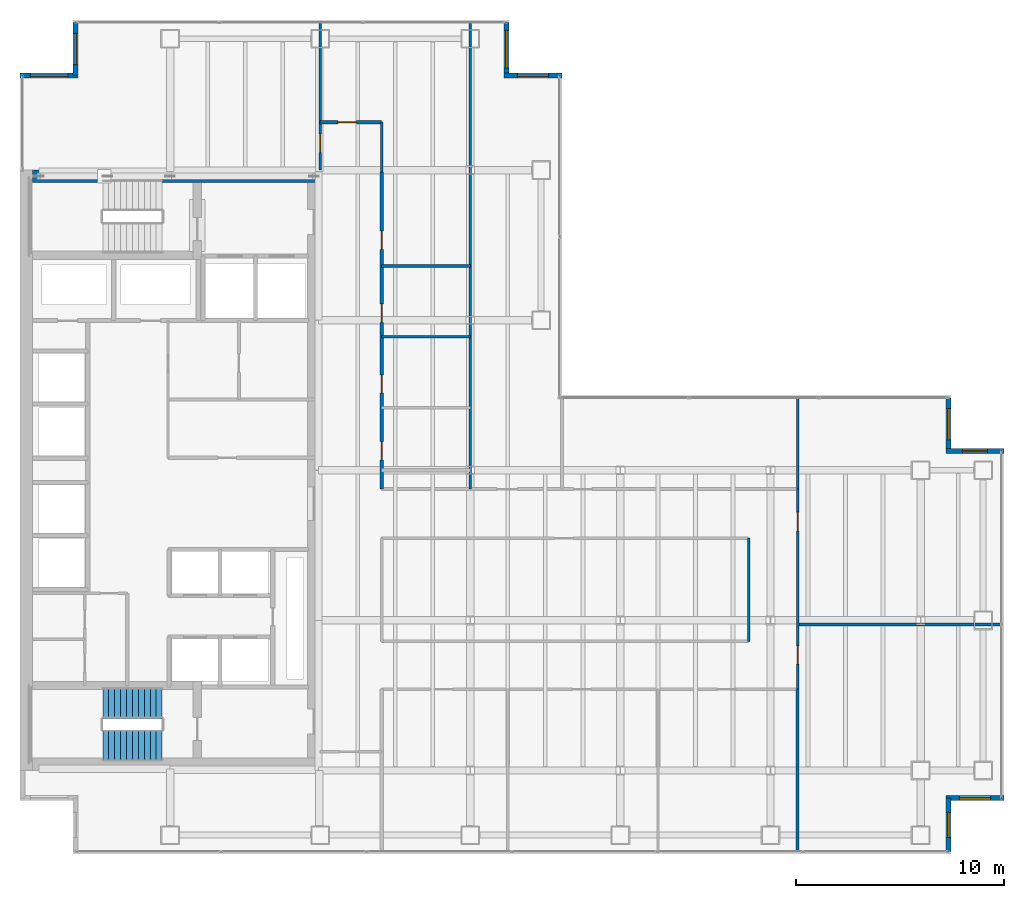
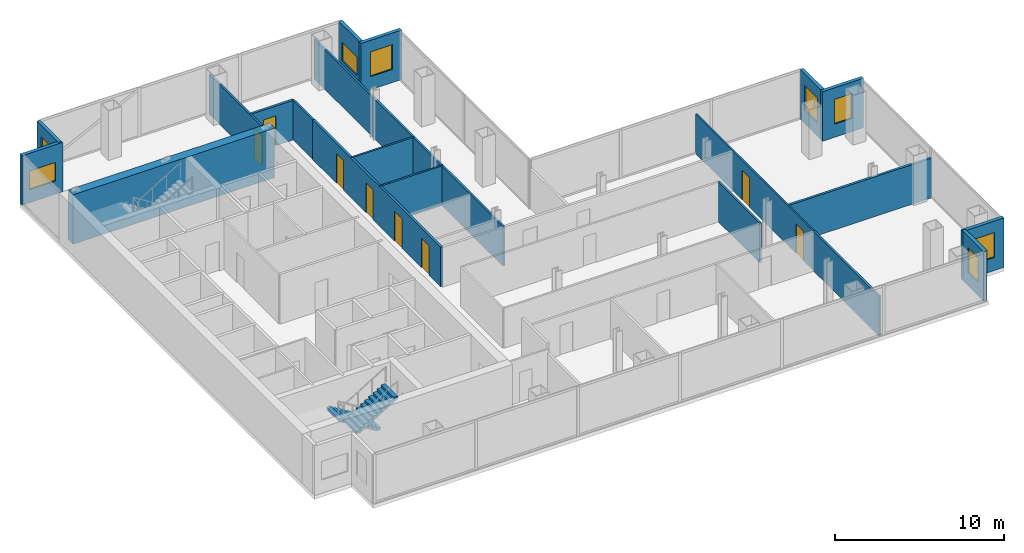
# One storey, part 22 of 24: 21 walls, 8 doors, 8 windows, 2 stair flights, 16 openings, 1 element without a shape of its own.
"""IFC4 building model written with IfcOpenShell, lengths in metres."""

from ifc_helpers import new_model, si_unit, direction, frame, frame_2d, origin, place, context, subcontext, project, spatial, polyline, rectangle, outline, extrude, material, layer, layer_set, type_object, element, fill, aggregate, save


model = new_model("IFC4")

# Units and contexts
model_context = context("Model", 3, precision=1e-05, world=origin(), true_north=direction((0.0, 1.0)))
body_context = subcontext(model_context, "Body", "Model", "MODEL_VIEW")
ifc_project = project(units=[si_unit("LENGTHUNIT", "METRE"), si_unit("AREAUNIT", "SQUARE_METRE"), si_unit("VOLUMEUNIT", "CUBIC_METRE"), si_unit("PLANEANGLEUNIT", "RADIAN"), si_unit("MASSUNIT", "GRAM", prefix="KILO")], contexts=[model_context])

# Site, building, storey
site_placement = place(None, origin())
site = spatial("IfcSite", under=ifc_project, at=site_placement, CompositionType="ELEMENT")
building_placement = place(site_placement, origin())
building = spatial("IfcBuilding", under=site, at=building_placement, Name="Cobrela Telecom Tower", CompositionType="ELEMENT")
storey_placement = place(building_placement, frame((0.0, 0.0, 136.85009765625)))
storey = spatial("IfcBuildingStorey", under=building, at=storey_placement, Name="L34", CompositionType="ELEMENT", Elevation=136.85009765625)

# Wall
ifc_material_1 = material(Name="Concrete C50/60", Category="concrete")
ifc_layer_1 = layer(ifc_material_1, 0.60009765625)
ifc_layer_set_1 = layer_set([ifc_layer_1], Name="Concrete C50/60")
wall_type_1 = type_object("IfcWallType", Name="WALL-CORE-C50-600", PredefinedType="SHEAR", material=ifc_layer_set_1)
wall_1_placement = place(storey_placement, frame((0.60009765625, 35.699951171875, 0.0), z_axis=(0.0, 0.0, 1.0), x_axis=(1.0, 0.0, 0.0)))
element("IfcWall", 1, at=wall_1_placement, inside=storey, type_object=wall_type_1, Name="L34 North Core Shear Wall", PredefinedType="SHEAR", context=body_context, shape_type="SweptSolid", body=[
    extrude(rectangle(XDim=13.7998046875, YDim=0.60009765625, at=frame_2d((6.89990234375, 0.0))), origin(), (0.0, 0.0, 1.0), 3.579833984375),
])

# Wall, opening, window
ifc_material_2 = material(Name="Concrete C40/50", Category="concrete")
ifc_layer_2 = layer(ifc_material_2, 0.239990234375)
ifc_layer_set_2 = layer_set([ifc_layer_2], Name="Concrete C40/50")
wall_type_2 = type_object("IfcWallType", Name="WALL-EXT-300", PredefinedType="STANDARD", material=ifc_layer_set_2)
wall_2_placement = place(storey_placement, frame((0.0, 40.530029296875, 0.0), z_axis=(0.0, 0.0, 1.0), x_axis=(1.0, 0.0, 0.0)))
wall_2 = element("IfcWall", 2, at=wall_2_placement, inside=storey, type_object=wall_type_2, Name="L34 Insulated Facade Wall 05", PredefinedType="STANDARD", context=body_context, shape_type="SweptSolid", body=[
    extrude(rectangle(XDim=2.7900390625, YDim=0.239990234375, at=frame_2d((1.39501953125, 0.0))), origin(), (0.0, 0.0, 1.0), 3.579833984375),
])
opening_1_placement = place(wall_2_placement, frame((0.4951171875, 0.0, 0.949951171875)))
opening_1 = element("IfcOpeningElement", 3, at=opening_1_placement, cuts=wall_2, Name="Opening WN-27", PredefinedType="OPENING", context=body_context, shape_type="SweptSolid", body=[
    extrude(rectangle(XDim=1.800048828125, YDim=1.35009765625, at=frame_2d((0.89990234375, 0.675048828125))), frame((0.0, 0.1318359375, 0.0), z_axis=(0.0, -1.0, 0.0), x_axis=(1.0, 0.0, 0.0)), (0.0, 0.0, 1.0), 0.263916015625),
])
ifc_material_3 = material(Name="Solar-Control Bronze Low-E Glass", Category="glass")
window_type_1 = type_object("IfcWindowType", Name="WIN-CLER-1800", PartitioningType="SINGLE_PANEL", PredefinedType="WINDOW", material=ifc_material_3)
window_1_placement = place(opening_1_placement, origin())
window_1 = element("IfcWindow", 4, at=window_1_placement, inside=storey, type_object=window_type_1, Name="L34 Corner Notch Facade Window 162", OverallHeight=1.35009765625, OverallWidth=1.800048828125, PartitioningType="SINGLE_PANEL", PredefinedType="WINDOW", context=body_context, shape_type="SweptSolid", body=[
    extrude(rectangle(XDim=1.800048828125, YDim=1.35009765625, at=frame_2d((0.89990234375, 0.675048828125))), frame((0.0, 0.030029296875, 0.0), z_axis=(0.0, -1.0, 0.0), x_axis=(1.0, 0.0, 0.0)), (0.0, 0.0, 1.0), 0.06005859375),
])
fill(opening_1, window_1)

wall_3_placement = place(storey_placement, frame((2.669921875, 40.530029296875, 0.0), z_axis=(0.0, 0.0, 1.0), x_axis=(0.0, 1.0, 0.0)))
wall_3 = element("IfcWall", 5, at=wall_3_placement, inside=storey, type_object=wall_type_2, Name="L34 Insulated Facade Wall 06", PredefinedType="STANDARD", context=body_context, shape_type="SweptSolid", body=[
    extrude(rectangle(XDim=2.550048828125, YDim=0.239990234375, at=frame_2d((1.27490234375, 0.0))), origin(), (0.0, 0.0, 1.0), 3.579833984375),
])
opening_2_placement = place(wall_3_placement, frame((0.52490234375, 0.0, 0.949951171875)))
opening_2 = element("IfcOpeningElement", 6, at=opening_2_placement, cuts=wall_3, Name="Opening WN-45", PredefinedType="OPENING", context=body_context, shape_type="SweptSolid", body=[
    extrude(rectangle(XDim=1.5, YDim=1.800048828125, at=frame_2d((0.75, 0.89990234375))), frame((0.0, 0.1318359375, 0.0), z_axis=(0.0, -1.0, 0.0), x_axis=(1.0, 0.0, 0.0)), (0.0, 0.0, 1.0), 0.263916015625),
])
window_type_2 = type_object("IfcWindowType", Name="WIN-MOD-1500", PartitioningType="SINGLE_PANEL", PredefinedType="WINDOW", material=ifc_material_3)
window_2_placement = place(opening_2_placement, origin())
window_2 = element("IfcWindow", 7, at=window_2_placement, inside=storey, type_object=window_type_2, Name="L34 Corner Notch Facade Window 163", OverallHeight=1.800048828125, OverallWidth=1.5, PartitioningType="SINGLE_PANEL", PredefinedType="WINDOW", context=body_context, shape_type="SweptSolid", body=[
    extrude(rectangle(XDim=1.5, YDim=1.800048828125, at=frame_2d((0.75, 0.89990234375))), frame((0.0, 0.030029296875, 0.0), z_axis=(0.0, -1.0, 0.0), x_axis=(1.0, 0.0, 0.0)), (0.0, 0.0, 1.0), 0.06005859375),
])
fill(opening_2, window_2)

wall_4_placement = place(storey_placement, frame((23.330078125, 43.080078125, 0.0), z_axis=(0.0, 0.0, 1.0), x_axis=(0.0, -1.0, 0.0)))
wall_4 = element("IfcWall", 8, at=wall_4_placement, inside=storey, type_object=wall_type_2, Name="L34 Insulated Facade Wall 08", PredefinedType="STANDARD", context=body_context, shape_type="SweptSolid", body=[
    extrude(rectangle(XDim=2.550048828125, YDim=0.239990234375, at=frame_2d((1.27490234375, 0.0))), origin(), (0.0, 0.0, 1.0), 3.579833984375),
])
opening_3_placement = place(wall_4_placement, frame((0.375, 0.0, 0.949951171875)))
opening_3 = element("IfcOpeningElement", 9, at=opening_3_placement, cuts=wall_4, Name="Opening WN-27", PredefinedType="OPENING", context=body_context, shape_type="SweptSolid", body=[
    extrude(rectangle(XDim=1.800048828125, YDim=1.35009765625, at=frame_2d((0.89990234375, 0.675048828125))), frame((0.0, 0.1318359375, 0.0), z_axis=(0.0, -1.0, 0.0), x_axis=(1.0, 0.0, 0.0)), (0.0, 0.0, 1.0), 0.263916015625),
])
window_3_placement = place(opening_3_placement, origin())
window_3 = element("IfcWindow", 10, at=window_3_placement, inside=storey, type_object=window_type_1, Name="L34 Corner Notch Facade Window 164", OverallHeight=1.35009765625, OverallWidth=1.800048828125, PartitioningType="SINGLE_PANEL", PredefinedType="WINDOW", context=body_context, shape_type="SweptSolid", body=[
    extrude(rectangle(XDim=1.800048828125, YDim=1.35009765625, at=frame_2d((0.89990234375, 0.675048828125))), frame((0.0, 0.030029296875, 0.0), z_axis=(0.0, -1.0, 0.0), x_axis=(1.0, 0.0, 0.0)), (0.0, 0.0, 1.0), 0.06005859375),
])
fill(opening_3, window_3)

wall_5_placement = place(storey_placement, frame((23.2099609375, 40.530029296875, 0.0), z_axis=(0.0, 0.0, 1.0), x_axis=(1.0, 0.0, 0.0)))
wall_5 = element("IfcWall", 11, at=wall_5_placement, inside=storey, type_object=wall_type_2, Name="L34 Insulated Facade Wall 09", PredefinedType="STANDARD", context=body_context, shape_type="SweptSolid", body=[
    extrude(rectangle(XDim=2.7900390625, YDim=0.239990234375, at=frame_2d((1.39501953125, 0.0))), origin(), (0.0, 0.0, 1.0), 3.579833984375),
])
opening_4_placement = place(wall_5_placement, frame((0.64501953125, 0.0, 0.949951171875)))
opening_4 = element("IfcOpeningElement", 12, at=opening_4_placement, cuts=wall_5, Name="Opening WN-45", PredefinedType="OPENING", context=body_context, shape_type="SweptSolid", body=[
    extrude(rectangle(XDim=1.5, YDim=1.800048828125, at=frame_2d((0.75, 0.89990234375))), frame((0.0, 0.1318359375, 0.0), z_axis=(0.0, -1.0, 0.0), x_axis=(1.0, 0.0, 0.0)), (0.0, 0.0, 1.0), 0.263916015625),
])
window_4_placement = place(opening_4_placement, origin())
window_4 = element("IfcWindow", 13, at=window_4_placement, inside=storey, type_object=window_type_2, Name="L34 Corner Notch Facade Window 165", OverallHeight=1.800048828125, OverallWidth=1.5, PartitioningType="SINGLE_PANEL", PredefinedType="WINDOW", context=body_context, shape_type="SweptSolid", body=[
    extrude(rectangle(XDim=1.5, YDim=1.800048828125, at=frame_2d((0.75, 0.89990234375))), frame((0.0, 0.030029296875, 0.0), z_axis=(0.0, -1.0, 0.0), x_axis=(1.0, 0.0, 0.0)), (0.0, 0.0, 1.0), 0.06005859375),
])
fill(opening_4, window_4)

wall_6_placement = place(storey_placement, frame((44.530029296875, 25.080078125, 0.0), z_axis=(0.0, 0.0, 1.0), x_axis=(0.0, -1.0, 0.0)))
wall_6 = element("IfcWall", 14, at=wall_6_placement, inside=storey, type_object=wall_type_2, Name="L34 Insulated Facade Wall 12", PredefinedType="STANDARD", context=body_context, shape_type="SweptSolid", body=[
    extrude(rectangle(XDim=2.550048828125, YDim=0.239990234375, at=frame_2d((1.27490234375, 0.0))), origin(), (0.0, 0.0, 1.0), 3.579833984375),
])
opening_5_placement = place(wall_6_placement, frame((0.52490234375, 0.0, 0.949951171875)))
opening_5 = element("IfcOpeningElement", 15, at=opening_5_placement, cuts=wall_6, Name="Opening WN-45", PredefinedType="OPENING", context=body_context, shape_type="SweptSolid", body=[
    extrude(rectangle(XDim=1.5, YDim=1.800048828125, at=frame_2d((0.75, 0.89990234375))), frame((0.0, 0.1318359375, 0.0), z_axis=(0.0, -1.0, 0.0), x_axis=(1.0, 0.0, 0.0)), (0.0, 0.0, 1.0), 0.263916015625),
])
window_5_placement = place(opening_5_placement, origin())
window_5 = element("IfcWindow", 16, at=window_5_placement, inside=storey, type_object=window_type_2, Name="L34 Corner Notch Facade Window 166", OverallHeight=1.800048828125, OverallWidth=1.5, PartitioningType="SINGLE_PANEL", PredefinedType="WINDOW", context=body_context, shape_type="SweptSolid", body=[
    extrude(rectangle(XDim=1.5, YDim=1.800048828125, at=frame_2d((0.75, 0.89990234375))), frame((0.0, 0.030029296875, 0.0), z_axis=(0.0, -1.0, 0.0), x_axis=(1.0, 0.0, 0.0)), (0.0, 0.0, 1.0), 0.06005859375),
])
fill(opening_5, window_5)

wall_7_placement = place(storey_placement, frame((44.409912109375, 22.530029296875, 0.0), z_axis=(0.0, 0.0, 1.0), x_axis=(1.0, 0.0, 0.0)))
wall_7 = element("IfcWall", 17, at=wall_7_placement, inside=storey, type_object=wall_type_2, Name="L34 Insulated Facade Wall 13", PredefinedType="STANDARD", context=body_context, shape_type="SweptSolid", body=[
    extrude(rectangle(XDim=2.7900390625, YDim=0.239990234375, at=frame_2d((1.39501953125, 0.0))), origin(), (0.0, 0.0, 1.0), 3.579833984375),
])
opening_6_placement = place(wall_7_placement, frame((0.794921875, 0.0, 0.949951171875)))
opening_6 = element("IfcOpeningElement", 18, at=opening_6_placement, cuts=wall_7, Name="Opening WN-19", PredefinedType="OPENING", context=body_context, shape_type="SweptSolid", body=[
    extrude(rectangle(XDim=1.199951171875, YDim=1.800048828125, at=frame_2d((0.60009765625, 0.89990234375))), frame((0.0, 0.1318359375, 0.0), z_axis=(0.0, -1.0, 0.0), x_axis=(1.0, 0.0, 0.0)), (0.0, 0.0, 1.0), 0.263916015625),
])
window_type_3 = type_object("IfcWindowType", Name="WIN-MOD-1200", PartitioningType="SINGLE_PANEL", PredefinedType="WINDOW", material=ifc_material_3)
window_6_placement = place(opening_6_placement, origin())
window_6 = element("IfcWindow", 19, at=window_6_placement, inside=storey, type_object=window_type_3, Name="L34 Corner Notch Facade Window 167", OverallHeight=1.800048828125, OverallWidth=1.199951171875, PartitioningType="SINGLE_PANEL", PredefinedType="WINDOW", context=body_context, shape_type="SweptSolid", body=[
    extrude(rectangle(XDim=1.199951171875, YDim=1.800048828125, at=frame_2d((0.60009765625, 0.89990234375))), frame((0.0, 0.030029296875, 0.0), z_axis=(0.0, -1.0, 0.0), x_axis=(1.0, 0.0, 0.0)), (0.0, 0.0, 1.0), 0.06005859375),
])
fill(opening_6, window_6)

wall_8_placement = place(storey_placement, frame((47.199951171875, 5.8701171875, 0.0), z_axis=(0.0, 0.0, 1.0), x_axis=(-1.0, 0.0, 0.0)))
wall_8 = element("IfcWall", 20, at=wall_8_placement, inside=storey, type_object=wall_type_2, Name="L34 Insulated Facade Wall 15", PredefinedType="STANDARD", context=body_context, shape_type="SweptSolid", body=[
    extrude(rectangle(XDim=2.7900390625, YDim=0.239990234375, at=frame_2d((1.39501953125, 0.0))), origin(), (0.0, 0.0, 1.0), 3.579833984375),
])
opening_7_placement = place(wall_8_placement, frame((0.64501953125, 0.0, 0.949951171875)))
opening_7 = element("IfcOpeningElement", 21, at=opening_7_placement, cuts=wall_8, Name="Opening WN-45", PredefinedType="OPENING", context=body_context, shape_type="SweptSolid", body=[
    extrude(rectangle(XDim=1.5, YDim=1.800048828125, at=frame_2d((0.75, 0.89990234375))), frame((0.0, 0.1318359375, 0.0), z_axis=(0.0, -1.0, 0.0), x_axis=(1.0, 0.0, 0.0)), (0.0, 0.0, 1.0), 0.263916015625),
])
window_7_placement = place(opening_7_placement, origin())
window_7 = element("IfcWindow", 22, at=window_7_placement, inside=storey, type_object=window_type_2, Name="L34 Corner Notch Facade Window 168", OverallHeight=1.800048828125, OverallWidth=1.5, PartitioningType="SINGLE_PANEL", PredefinedType="WINDOW", context=body_context, shape_type="SweptSolid", body=[
    extrude(rectangle(XDim=1.5, YDim=1.800048828125, at=frame_2d((0.75, 0.89990234375))), frame((0.0, 0.030029296875, 0.0), z_axis=(0.0, -1.0, 0.0), x_axis=(1.0, 0.0, 0.0)), (0.0, 0.0, 1.0), 0.06005859375),
])
fill(opening_7, window_7)

wall_9_placement = place(storey_placement, frame((44.530029296875, 5.8701171875, 0.0), z_axis=(0.0, 0.0, 1.0), x_axis=(0.0, -1.0, 0.0)))
wall_9 = element("IfcWall", 23, at=wall_9_placement, inside=storey, type_object=wall_type_2, Name="L34 Insulated Facade Wall 16", PredefinedType="STANDARD", context=body_context, shape_type="SweptSolid", body=[
    extrude(rectangle(XDim=2.550048828125, YDim=0.239990234375, at=frame_2d((1.27490234375, 0.0))), origin(), (0.0, 0.0, 1.0), 3.579833984375),
])
opening_8_placement = place(wall_9_placement, frame((0.675048828125, 0.0, 0.949951171875)))
opening_8 = element("IfcOpeningElement", 24, at=opening_8_placement, cuts=wall_9, Name="Opening WN-19", PredefinedType="OPENING", context=body_context, shape_type="SweptSolid", body=[
    extrude(rectangle(XDim=1.199951171875, YDim=1.800048828125, at=frame_2d((0.60009765625, 0.89990234375))), frame((0.0, 0.1318359375, 0.0), z_axis=(0.0, -1.0, 0.0), x_axis=(1.0, 0.0, 0.0)), (0.0, 0.0, 1.0), 0.263916015625),
])
window_8_placement = place(opening_8_placement, origin())
window_8 = element("IfcWindow", 25, at=window_8_placement, inside=storey, type_object=window_type_3, Name="L34 Corner Notch Facade Window 169", OverallHeight=1.800048828125, OverallWidth=1.199951171875, PartitioningType="SINGLE_PANEL", PredefinedType="WINDOW", context=body_context, shape_type="SweptSolid", body=[
    extrude(rectangle(XDim=1.199951171875, YDim=1.800048828125, at=frame_2d((0.60009765625, 0.89990234375))), frame((0.0, 0.030029296875, 0.0), z_axis=(0.0, -1.0, 0.0), x_axis=(1.0, 0.0, 0.0)), (0.0, 0.0, 1.0), 0.06005859375),
])
fill(opening_8, window_8)

# Wall, openings, doors
ifc_material_4 = material(Name="Fire-Rated Gypsum Plasterboard")
ifc_layer_3 = layer(ifc_material_4, 0.110107421875)
ifc_layer_set_3 = layer_set([ifc_layer_3], Name="Fire-Rated Gypsum Plasterboard")
wall_type_3 = type_object("IfcWallType", Name="WALL-PART-110", PredefinedType="PARTITIONING", material=ifc_layer_set_3)
wall_10_placement = place(storey_placement, frame((37.300048828125, 11.10009765625, 0.0), z_axis=(0.0, 0.0, 1.0), x_axis=(0.0, 1.0, 0.0)))
wall_10 = element("IfcWall", 26, at=wall_10_placement, inside=storey, type_object=wall_type_3, Name="L34 Interior Partition W-UE-E", PredefinedType="PARTITIONING", context=body_context, shape_type="SweptSolid", body=[
    extrude(rectangle(XDim=9.599853515625, YDim=0.110107421875, at=frame_2d((4.7998046875, 0.0))), origin(), (0.0, 0.0, 1.0), 2.868896484375),
])
opening_9_placement = place(wall_10_placement, frame((1.199951171875, 0.0, 0.0)))
opening_9 = element("IfcOpeningElement", 27, at=opening_9_placement, cuts=wall_10, Name="Opening DR-39", PredefinedType="OPENING", context=body_context, shape_type="SweptSolid", body=[
    extrude(rectangle(XDim=0.8798828125, YDim=2.14990234375, at=frame_2d((0.43994140625, 1.074951171875))), frame((0.0, 0.06689453125, 0.0), z_axis=(0.0, -1.0, 0.0), x_axis=(1.0, 0.0, 0.0)), (0.0, 0.0, 1.0), 0.134033203125),
])
opening_10_placement = place(wall_10_placement, frame((7.60009765625, 0.0, 0.0)))
opening_10 = element("IfcOpeningElement", 28, at=opening_10_placement, cuts=wall_10, Name="Opening DR-39", PredefinedType="OPENING", context=body_context, shape_type="SweptSolid", body=[
    extrude(rectangle(XDim=0.8798828125, YDim=2.14990234375, at=frame_2d((0.43994140625, 1.074951171875))), frame((0.0, 0.06689453125, 0.0), z_axis=(0.0, -1.0, 0.0), x_axis=(1.0, 0.0, 0.0)), (0.0, 0.0, 1.0), 0.134033203125),
])
ifc_material_5 = material(Name="Solid Engineered Oak Timber", Category="wood")
door_type = type_object("IfcDoorType", Name="DOOR-INT-880", OperationType="SINGLE_SWING_LEFT", PredefinedType="DOOR", material=ifc_material_5)
door_1_placement = place(opening_9_placement, origin())
door_1 = element("IfcDoor", 29, at=door_1_placement, inside=storey, type_object=door_type, Name="L34 Door DR-39", OperationType="SINGLE_SWING_LEFT", OverallHeight=2.14990234375, OverallWidth=0.8798828125, PredefinedType="DOOR", context=body_context, shape_type="SweptSolid", body=[
    extrude(rectangle(XDim=0.8798828125, YDim=2.14990234375, at=frame_2d((0.43994140625, 1.074951171875))), frame((0.0, 0.02490234375, 0.0), z_axis=(0.0, -1.0, 0.0), x_axis=(1.0, 0.0, 0.0)), (0.0, 0.0, 1.0), 0.050048828125),
])
fill(opening_9, door_1)
door_2_placement = place(opening_10_placement, origin())
door_2 = element("IfcDoor", 30, at=door_2_placement, inside=storey, type_object=door_type, Name="L34 Door DR-39", OperationType="SINGLE_SWING_RIGHT", OverallHeight=2.14990234375, OverallWidth=0.8798828125, PredefinedType="DOOR", context=body_context, shape_type="SweptSolid", body=[
    extrude(rectangle(XDim=0.8798828125, YDim=2.14990234375, at=frame_2d((0.43994140625, 1.074951171875))), frame((0.0, 0.02490234375, 0.0), z_axis=(0.0, -1.0, 0.0), x_axis=(1.0, 0.0, 0.0)), (0.0, 0.0, 1.0), 0.050048828125),
])
fill(opening_10, door_2)

# Walls
wall_11_placement = place(storey_placement, frame((17.35009765625, 35.89990234375, 0.0), z_axis=(0.0, 0.0, 1.0), x_axis=(0.0, 1.0, 0.0)))
element("IfcWall", 31, at=wall_11_placement, inside=storey, type_object=wall_type_3, Name="L34 Interior Partition W-UWN-E", PredefinedType="PARTITIONING", context=body_context, shape_type="SweptSolid", body=[
    extrude(rectangle(XDim=2.400146484375, YDim=0.110107421875, at=frame_2d((1.2001953125, 0.0))), origin(), (0.0, 0.0, 1.0), 2.868896484375),
])
wall_12_placement = place(storey_placement, frame((37.300048828125, 20.699951171875, 0.0), z_axis=(0.0, 0.0, 1.0), x_axis=(0.0, 1.0, 0.0)))
element("IfcWall", 32, at=wall_12_placement, inside=storey, type_object=wall_type_3, Name="L34 Interior Partition W-UFE-N", PredefinedType="PARTITIONING", context=body_context, shape_type="SweptSolid", body=[
    extrude(rectangle(XDim=4.380126953125, YDim=0.110107421875, at=frame_2d((2.18994140625, 0.0))), origin(), (0.0, 0.0, 1.0), 2.868896484375),
])
ifc_layer_4 = layer(ifc_material_4, 0.125)
ifc_layer_set_4 = layer_set([ifc_layer_4], Name="Fire-Rated Gypsum Plasterboard")
wall_type_4 = type_object("IfcWallType", Name="WALL-PART-125", PredefinedType="PARTITIONING", material=ifc_layer_set_4)
wall_13_placement = place(storey_placement, frame((34.949951171875, 13.39990234375, 0.0), z_axis=(0.0, 0.0, 1.0), x_axis=(0.0, 1.0, 0.0)))
element("IfcWall", 33, at=wall_13_placement, inside=storey, type_object=wall_type_4, Name="L34 Interior Partition W-ISL-E", PredefinedType="PARTITIONING", context=body_context, shape_type="SweptSolid", body=[
    extrude(rectangle(XDim=4.9501953125, YDim=0.125, at=frame_2d((2.47509765625, 0.0))), origin(), (0.0, 0.0, 1.0), 2.868896484375),
])
for number, where, z_axis, x_axis, name in (
    (34, (17.35009765625, 28.0, 0.0), (0.0, 0.0, 1.0), (1.0, 0.0, 0.0), "L34 Interior Partition W-WC-2"),
    (35, (17.35009765625, 31.39990234375, 0.0), (0.0, 0.0, 1.0), (1.0, 0.0, 0.0), "L34 Interior Partition W-WC-3"),
):
    element("IfcWall", number, at=place(storey_placement, frame(where, z_axis=z_axis, x_axis=x_axis)), inside=storey, type_object=wall_type_4, Name=name, PredefinedType="PARTITIONING", context=body_context, shape_type="SweptSolid", body=[
        extrude(rectangle(XDim=4.25, YDim=0.125, at=frame_2d((2.125, 0.0))), origin(), (0.0, 0.0, 1.0), 2.868896484375),
    ])
ifc_layer_5 = layer(ifc_material_4, 0.135009765625)
ifc_layer_set_5 = layer_set([ifc_layer_5], Name="Fire-Rated Gypsum Plasterboard")
wall_type_5 = type_object("IfcWallType", Name="WALL-PART-135", PredefinedType="PARTITIONING", material=ifc_layer_set_5)
wall_14_placement = place(storey_placement, frame((21.60009765625, 20.699951171875, 0.0), z_axis=(0.0, 0.0, 1.0), x_axis=(0.0, 1.0, 0.0)))
element("IfcWall", 36, at=wall_14_placement, inside=storey, type_object=wall_type_5, Name="L34 Interior Partition W-WC-E", PredefinedType="PARTITIONING", context=body_context, shape_type="SweptSolid", body=[
    extrude(rectangle(XDim=22.380126953125, YDim=0.135009765625, at=frame_2d((11.18994140625, 0.0))), origin(), (0.0, 0.0, 1.0), 2.868896484375),
])

# Wall, opening, door
wall_15_placement = place(storey_placement, frame((14.39990234375, 36.0, 0.0), z_axis=(0.0, 0.0, 1.0), x_axis=(0.0, 1.0, 0.0)))
wall_15 = element("IfcWall", 37, at=wall_15_placement, inside=storey, type_object=wall_type_5, Name="L34 Interior Partition W-UWN-W", PredefinedType="PARTITIONING", context=body_context, shape_type="SweptSolid", body=[
    extrude(rectangle(XDim=7.080078125, YDim=0.135009765625, at=frame_2d((3.5400390625, 0.0))), origin(), (0.0, 0.0, 1.0), 2.868896484375),
])
opening_11_placement = place(wall_15_placement, frame((0.85009765625, 0.0, 0.0)))
opening_11 = element("IfcOpeningElement", 38, at=opening_11_placement, cuts=wall_15, Name="Opening DR-39", PredefinedType="OPENING", context=body_context, shape_type="SweptSolid", body=[
    extrude(rectangle(XDim=0.8798828125, YDim=2.14990234375, at=frame_2d((0.43994140625, 1.074951171875))), frame((0.0, 0.07958984375, 0.0), z_axis=(0.0, -1.0, 0.0), x_axis=(1.0, 0.0, 0.0)), (0.0, 0.0, 1.0), 0.158935546875),
])
door_3_placement = place(opening_11_placement, origin())
door_3 = element("IfcDoor", 39, at=door_3_placement, inside=storey, type_object=door_type, Name="L34 Door DR-39", OperationType="SINGLE_SWING_LEFT", OverallHeight=2.14990234375, OverallWidth=0.8798828125, PredefinedType="DOOR", context=body_context, shape_type="SweptSolid", body=[
    extrude(rectangle(XDim=0.8798828125, YDim=2.14990234375, at=frame_2d((0.43994140625, 1.074951171875))), frame((0.0, 0.02490234375, 0.0), z_axis=(0.0, -1.0, 0.0), x_axis=(1.0, 0.0, 0.0)), (0.0, 0.0, 1.0), 0.050048828125),
])
fill(opening_11, door_3)

# Wall
wall_16_placement = place(storey_placement, frame((37.300048828125, 3.320068359375, 0.0), z_axis=(0.0, 0.0, 1.0), x_axis=(0.0, 1.0, 0.0)))
element("IfcWall", 40, at=wall_16_placement, inside=storey, type_object=wall_type_5, Name="L34 Interior Partition W-UFE-S", PredefinedType="PARTITIONING", context=body_context, shape_type="SweptSolid", body=[
    extrude(rectangle(XDim=7.780029296875, YDim=0.135009765625, at=frame_2d((3.89013671875, 0.0))), origin(), (0.0, 0.0, 1.0), 2.868896484375),
])

# Wall, openings, doors
ifc_layer_6 = layer(ifc_material_4, 0.14990234375)
ifc_layer_set_6 = layer_set([ifc_layer_6], Name="Fire-Rated Gypsum Plasterboard")
wall_type_6 = type_object("IfcWallType", Name="WALL-PART-150", PredefinedType="PARTITIONING", material=ifc_layer_set_6)
wall_17_placement = place(storey_placement, frame((17.35009765625, 20.699951171875, 0.0), z_axis=(0.0, 0.0, 1.0), x_axis=(0.0, 1.0, 0.0)))
wall_17 = element("IfcWall", 41, at=wall_17_placement, inside=storey, type_object=wall_type_6, Name="L34 Interior Partition W-UW-E2", PredefinedType="PARTITIONING", context=body_context, shape_type="SweptSolid", body=[
    extrude(rectangle(XDim=15.199951171875, YDim=0.14990234375, at=frame_2d((7.60009765625, 0.0))), origin(), (0.0, 0.0, 1.0), 2.868896484375),
])
opening_12_placement = place(wall_17_placement, frame((1.39990234375, 0.0, 0.0)))
opening_12 = element("IfcOpeningElement", 42, at=opening_12_placement, cuts=wall_17, Name="Opening DR-39", PredefinedType="OPENING", context=body_context, shape_type="SweptSolid", body=[
    extrude(rectangle(XDim=0.8798828125, YDim=2.14990234375, at=frame_2d((0.43994140625, 1.074951171875))), frame((0.0, 0.0869140625, 0.0), z_axis=(0.0, -1.0, 0.0), x_axis=(1.0, 0.0, 0.0)), (0.0, 0.0, 1.0), 0.173828125),
])
opening_13_placement = place(wall_17_placement, frame((4.60009765625, 0.0, 0.0)))
opening_13 = element("IfcOpeningElement", 43, at=opening_13_placement, cuts=wall_17, Name="Opening DR-39", PredefinedType="OPENING", context=body_context, shape_type="SweptSolid", body=[
    extrude(rectangle(XDim=0.8798828125, YDim=2.14990234375, at=frame_2d((0.43994140625, 1.074951171875))), frame((0.0, 0.0869140625, 0.0), z_axis=(0.0, -1.0, 0.0), x_axis=(1.0, 0.0, 0.0)), (0.0, 0.0, 1.0), 0.173828125),
])
opening_14_placement = place(wall_17_placement, frame((8.0, 0.0, 0.0)))
opening_14 = element("IfcOpeningElement", 44, at=opening_14_placement, cuts=wall_17, Name="Opening DR-39", PredefinedType="OPENING", context=body_context, shape_type="SweptSolid", body=[
    extrude(rectangle(XDim=0.8798828125, YDim=2.14990234375, at=frame_2d((0.43994140625, 1.074951171875))), frame((0.0, 0.0869140625, 0.0), z_axis=(0.0, -1.0, 0.0), x_axis=(1.0, 0.0, 0.0)), (0.0, 0.0, 1.0), 0.173828125),
])
opening_15_placement = place(wall_17_placement, frame((11.5, 0.0, 0.0)))
opening_15 = element("IfcOpeningElement", 45, at=opening_15_placement, cuts=wall_17, Name="Opening DR-39", PredefinedType="OPENING", context=body_context, shape_type="SweptSolid", body=[
    extrude(rectangle(XDim=0.8798828125, YDim=2.14990234375, at=frame_2d((0.43994140625, 1.074951171875))), frame((0.0, 0.0869140625, 0.0), z_axis=(0.0, -1.0, 0.0), x_axis=(1.0, 0.0, 0.0)), (0.0, 0.0, 1.0), 0.173828125),
])
door_4_placement = place(opening_12_placement, origin())
door_4 = element("IfcDoor", 46, at=door_4_placement, inside=storey, type_object=door_type, Name="L34 Door DR-39", OperationType="SINGLE_SWING_LEFT", OverallHeight=2.14990234375, OverallWidth=0.8798828125, PredefinedType="DOOR", context=body_context, shape_type="SweptSolid", body=[
    extrude(rectangle(XDim=0.8798828125, YDim=2.14990234375, at=frame_2d((0.43994140625, 1.074951171875))), frame((0.0, 0.02490234375, 0.0), z_axis=(0.0, -1.0, 0.0), x_axis=(1.0, 0.0, 0.0)), (0.0, 0.0, 1.0), 0.050048828125),
])
fill(opening_12, door_4)
door_5_placement = place(opening_13_placement, origin())
door_5 = element("IfcDoor", 47, at=door_5_placement, inside=storey, type_object=door_type, Name="L34 Door DR-39", OperationType="SINGLE_SWING_RIGHT", OverallHeight=2.14990234375, OverallWidth=0.8798828125, PredefinedType="DOOR", context=body_context, shape_type="SweptSolid", body=[
    extrude(rectangle(XDim=0.8798828125, YDim=2.14990234375, at=frame_2d((0.43994140625, 1.074951171875))), frame((0.0, 0.02490234375, 0.0), z_axis=(0.0, -1.0, 0.0), x_axis=(1.0, 0.0, 0.0)), (0.0, 0.0, 1.0), 0.050048828125),
])
fill(opening_13, door_5)
door_6_placement = place(opening_14_placement, origin())
door_6 = element("IfcDoor", 48, at=door_6_placement, inside=storey, type_object=door_type, Name="L34 Door DR-39", OperationType="SINGLE_SWING_LEFT", OverallHeight=2.14990234375, OverallWidth=0.8798828125, PredefinedType="DOOR", context=body_context, shape_type="SweptSolid", body=[
    extrude(rectangle(XDim=0.8798828125, YDim=2.14990234375, at=frame_2d((0.43994140625, 1.074951171875))), frame((0.0, 0.02490234375, 0.0), z_axis=(0.0, -1.0, 0.0), x_axis=(1.0, 0.0, 0.0)), (0.0, 0.0, 1.0), 0.050048828125),
])
fill(opening_14, door_6)
door_7_placement = place(opening_15_placement, origin())
door_7 = element("IfcDoor", 49, at=door_7_placement, inside=storey, type_object=door_type, Name="L34 Door DR-39", OperationType="SINGLE_SWING_RIGHT", OverallHeight=2.14990234375, OverallWidth=0.8798828125, PredefinedType="DOOR", context=body_context, shape_type="SweptSolid", body=[
    extrude(rectangle(XDim=0.8798828125, YDim=2.14990234375, at=frame_2d((0.43994140625, 1.074951171875))), frame((0.0, 0.02490234375, 0.0), z_axis=(0.0, -1.0, 0.0), x_axis=(1.0, 0.0, 0.0)), (0.0, 0.0, 1.0), 0.050048828125),
])
fill(opening_15, door_7)

# Wall, opening, door
ifc_layer_7 = layer(ifc_material_4, 0.159912109375)
ifc_layer_set_7 = layer_set([ifc_layer_7], Name="Fire-Rated Gypsum Plasterboard")
wall_type_7 = type_object("IfcWallType", Name="WALL-PART-160", PredefinedType="PARTITIONING", material=ifc_layer_set_7)
wall_18_placement = place(storey_placement, frame((14.39990234375, 38.300048828125, 0.0), z_axis=(0.0, 0.0, 1.0), x_axis=(1.0, 0.0, 0.0)))
wall_18 = element("IfcWall", 50, at=wall_18_placement, inside=storey, type_object=wall_type_7, Name="L34 Interior Partition W-UWN-T", PredefinedType="PARTITIONING", context=body_context, shape_type="SweptSolid", body=[
    extrude(rectangle(XDim=2.9501953125, YDim=0.159912109375, at=frame_2d((1.47509765625, 0.0))), origin(), (0.0, 0.0, 1.0), 2.868896484375),
])
opening_16_placement = place(wall_18_placement, frame((0.85009765625, 0.0, 0.0)))
opening_16 = element("IfcOpeningElement", 51, at=opening_16_placement, cuts=wall_18, Name="Opening DR-39", PredefinedType="OPENING", context=body_context, shape_type="SweptSolid", body=[
    extrude(rectangle(XDim=0.8798828125, YDim=2.14990234375, at=frame_2d((0.43994140625, 1.074951171875))), frame((0.0, 0.091796875, 0.0), z_axis=(0.0, -1.0, 0.0), x_axis=(1.0, 0.0, 0.0)), (0.0, 0.0, 1.0), 0.183837890625),
])
door_8_placement = place(opening_16_placement, origin())
door_8 = element("IfcDoor", 52, at=door_8_placement, inside=storey, type_object=door_type, Name="L34 Door DR-39", OperationType="SINGLE_SWING_RIGHT", OverallHeight=2.14990234375, OverallWidth=0.8798828125, PredefinedType="DOOR", context=body_context, shape_type="SweptSolid", body=[
    extrude(rectangle(XDim=0.8798828125, YDim=2.14990234375, at=frame_2d((0.43994140625, 1.074951171875))), frame((0.0, 0.02490234375, 0.0), z_axis=(0.0, -1.0, 0.0), x_axis=(1.0, 0.0, 0.0)), (0.0, 0.0, 1.0), 0.050048828125),
])
fill(opening_16, door_8)

# Wall
wall_19_placement = place(storey_placement, frame((37.300048828125, 14.199951171875, 0.0), z_axis=(0.0, 0.0, 1.0), x_axis=(1.0, 0.0, 0.0)))
element("IfcWall", 53, at=wall_19_placement, inside=storey, type_object=wall_type_7, Name="L34 Interior Partition W-UFE-H", PredefinedType="PARTITIONING", context=body_context, shape_type="SweptSolid", body=[
    extrude(rectangle(XDim=9.780029296875, YDim=0.159912109375, at=frame_2d((4.89013671875, 0.0))), origin(), (0.0, 0.0, 1.0), 2.868896484375),
])

# Stair, stair flights
stair_type = type_object("IfcStairType", Name="STAIR-CORE", PredefinedType="HALF_TURN_STAIR", material=ifc_material_2)
stair_placement = place(storey_placement, origin())
stair = element("IfcStair", 54, at=stair_placement, inside=storey, type_object=stair_type, Name="L34 Smokeproof Exit Stair ST2", PredefinedType="HALF_TURN_STAIR")
stair_flight_type = type_object("IfcStairFlightType", Name="FLIGHT-CORE", PredefinedType="STRAIGHT", material=ifc_material_2)
stair_flight_1_placement = place(storey_placement, frame((6.820068359375, 10.449951171875, 0.0), z_axis=(0.0, 0.0, 1.0), x_axis=(-1.0, 0.0, 0.0)))
stair_flight_1 = element("IfcStairFlight", 55, at=stair_flight_1_placement, type_object=stair_flight_type, Name="ST2 flight 1", NumberOfRisers=11, NumberOfTreads=10, PredefinedType="STRAIGHT", RiserHeight=0.175, TreadLength=0.285, context=body_context, shape_type="SweptSolid", body=[
    extrude(outline(polyline([(0.0, 0.0), (0.0, 0.175048828125), (0.284912109375, 0.175048828125), (0.284912109375, 0.35009765625), (0.570068359375, 0.35009765625), (0.570068359375, 0.52490234375), (0.85498046875, 0.52490234375), (0.85498046875, 0.699951171875), (1.139892578125, 0.699951171875), (1.139892578125, 0.875), (1.425048828125, 0.875), (1.425048828125, 1.050048828125), (1.7099609375, 1.050048828125), (1.7099609375, 1.22509765625), (1.9951171875, 1.22509765625), (1.9951171875, 1.39990234375), (2.280029296875, 1.39990234375), (2.280029296875, 1.574951171875), (2.56494140625, 1.574951171875), (2.56494140625, 1.75), (2.85009765625, 1.75), (2.85009765625, 1.925048828125), (2.85009765625, 1.573974609375), (0.286376953125, 0.0), (0.0, 0.0)])), frame((0.0, 0.75, 0.0), z_axis=(0.0, -1.0, 0.0), x_axis=(1.0, 0.0, 0.0)), (0.0, 0.0, 1.0), 1.5),
])
stair_flight_2_placement = place(storey_placement, frame((3.969970703125, 8.39990234375, 1.9248046875), z_axis=(0.0, 0.0, 1.0), x_axis=(1.0, 0.0, 0.0)))
stair_flight_2 = element("IfcStairFlight", 56, at=stair_flight_2_placement, type_object=stair_flight_type, Name="ST2 flight 2", NumberOfRisers=11, NumberOfTreads=10, PredefinedType="STRAIGHT", RiserHeight=0.175, TreadLength=0.285, context=body_context, shape_type="SweptSolid", body=[
    extrude(outline(polyline([(0.0, 0.0), (0.0, 0.175048828125), (0.284912109375, 0.175048828125), (0.284912109375, 0.35009765625), (0.570068359375, 0.35009765625), (0.570068359375, 0.52490234375), (0.85498046875, 0.52490234375), (0.85498046875, 0.699951171875), (1.139892578125, 0.699951171875), (1.139892578125, 0.875), (1.425048828125, 0.875), (1.425048828125, 1.050048828125), (1.7099609375, 1.050048828125), (1.7099609375, 1.22509765625), (1.9951171875, 1.22509765625), (1.9951171875, 1.39990234375), (2.280029296875, 1.39990234375), (2.280029296875, 1.574951171875), (2.56494140625, 1.574951171875), (2.56494140625, 1.75), (2.85009765625, 1.75), (2.85009765625, 1.925048828125), (2.85009765625, 1.573974609375), (0.286376953125, 0.0), (0.0, 0.0)])), frame((0.0, 0.75, 0.0), z_axis=(0.0, -1.0, 0.0), x_axis=(1.0, 0.0, 0.0)), (0.0, 0.0, 1.0), 1.5),
])
aggregate(stair, [stair_flight_1, stair_flight_2])

save(model, "model.ifc")
